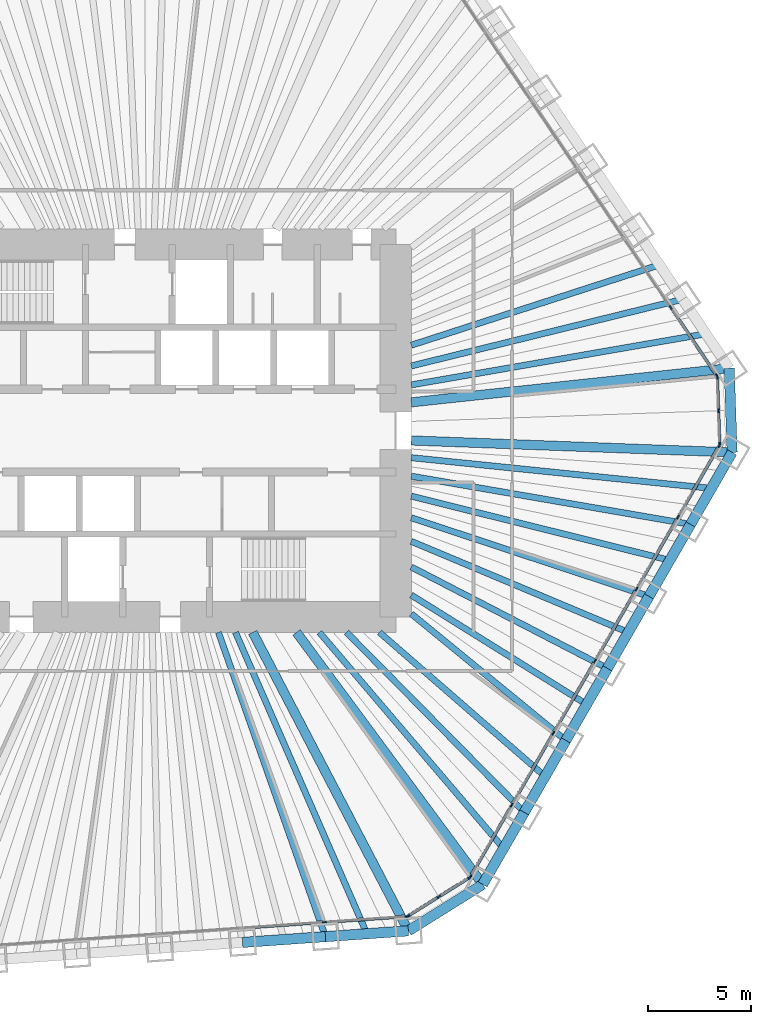
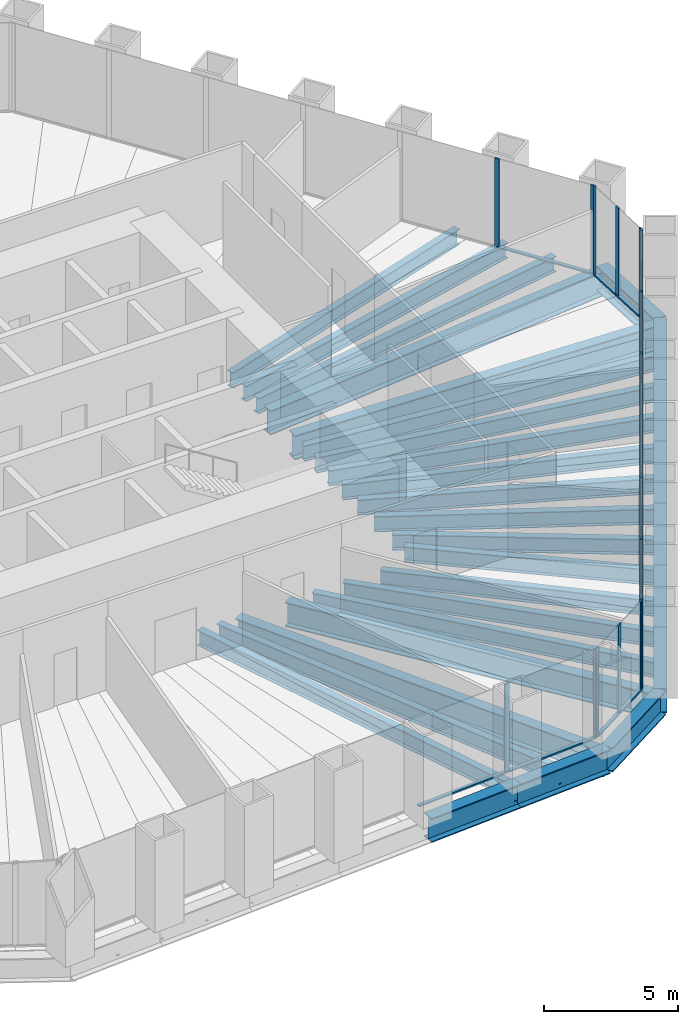
# One storey, part 4 of 13: 30 beams, 30 members, 5 elements without a shape of their own.
"""IFC4 building model written with IfcOpenShell, lengths in metres."""

from ifc_helpers import new_model, si_unit, direction, frame, origin, origin_2d, place, context, subcontext, project, spatial, rectangle, i_section, extrude, material, material_profile, profile_set, type_object, element, aggregate, save


model = new_model("IFC4")

# Units and contexts
model_context = context("Model", 3, precision=1e-05, world=origin(), true_north=direction((0.0, 1.0)))
body_context = subcontext(model_context, "Body", "Model", "MODEL_VIEW")
ifc_project = project(units=[si_unit("LENGTHUNIT", "METRE"), si_unit("AREAUNIT", "SQUARE_METRE"), si_unit("VOLUMEUNIT", "CUBIC_METRE"), si_unit("PLANEANGLEUNIT", "RADIAN"), si_unit("MASSUNIT", "GRAM", prefix="KILO")], contexts=[model_context])

# Site, building, storey
site_placement = place(None, origin())
site = spatial("IfcSite", under=ifc_project, at=site_placement, CompositionType="ELEMENT")
building_placement = place(site_placement, origin())
building = spatial("IfcBuilding", under=site, at=building_placement, Name="Qingtian Harvest Tower", CompositionType="ELEMENT")
storey_placement = place(building_placement, frame((0.0, 0.0, 124.0)))
storey = spatial("IfcBuildingStorey", under=building, at=storey_placement, Name="L25", CompositionType="ELEMENT", Elevation=124.0)

# Beams
ifc_material_1 = material(Name="Steel SM570MC", Category="steel")
ifc_material_profile_1 = material_profile(ifc_material_1, i_section(OverallWidth=0.449951171875, OverallDepth=1.10009765625, WebThickness=0.02197265625, FlangeThickness=0.044921875, at=origin_2d()), Name="H1100x450x22x45")
ifc_profile_set_1 = profile_set([ifc_material_profile_1], Name="Steel SM570MC")
beam_type_1 = type_object("IfcBeamType", Name="Corner floor beam FB8 H1100x450x22x45", PredefinedType="BEAM", material=ifc_profile_set_1)
beam_1_placement = place(storey_placement, frame((28.119384765625, 3.0185546875, -0.719970703125), z_axis=(-0.994287324052, -0.106736672374, 0.0), x_axis=(0.106736672374, -0.994287324052, 0.0)))
element("IfcBeam", 1, at=beam_1_placement, inside=storey, type_object=beam_type_1, Name="Floor beam FB8 NE6", PredefinedType="BEAM", context=body_context, shape_type="SweptSolid", body=[
    extrude(i_section(OverallWidth=0.449951171875, OverallDepth=1.10009765625, WebThickness=0.02197265625, FlangeThickness=0.044921875, at=origin_2d()), origin(), (0.0, 0.0, 1.0), 15.457763671875),
])
beam_2_placement = place(storey_placement, frame((28.261474609375, -1.049560546875, -0.719970703125), z_axis=(-0.999311425285, 0.03710357523, 0.0), x_axis=(-0.03710357523, -0.999311425285, 0.0)))
element("IfcBeam", 2, at=beam_2_placement, inside=storey, type_object=beam_type_1, Name="Floor beam FB8 SE0", PredefinedType="BEAM", context=body_context, shape_type="SweptSolid", body=[
    extrude(i_section(OverallWidth=0.449951171875, OverallDepth=1.10009765625, WebThickness=0.02197265625, FlangeThickness=0.044921875, at=origin_2d()), origin(), (0.0, 0.0, 1.0), 15.522216796875),
])
beam_3_placement = place(storey_placement, frame((16.204345703125, -21.933349609375, -0.719970703125), z_axis=(-0.594215666968, 0.804305751023, 0.0), x_axis=(-0.804305751023, -0.594215666968, 0.0)))
element("IfcBeam", 3, at=beam_3_placement, inside=storey, type_object=beam_type_1, Name="Floor beam FB8 SE6", PredefinedType="BEAM", context=body_context, shape_type="SweptSolid", body=[
    extrude(i_section(OverallWidth=0.449951171875, OverallDepth=1.10009765625, WebThickness=0.02197265625, FlangeThickness=0.044921875, at=origin_2d()), origin(), (0.0, 0.0, 1.0), 15.147705078125),
])
beam_4_placement = place(storey_placement, frame((12.610107421875, -24.17919921875, -0.719970703125), z_axis=(-0.462414751295, 0.886663745613, 0.0), x_axis=(-0.886663745613, -0.462414751295, 0.0)))
element("IfcBeam", 4, at=beam_4_placement, inside=storey, type_object=beam_type_1, Name="Floor beam FB8 S0", PredefinedType="BEAM", context=body_context, shape_type="SweptSolid", body=[
    extrude(i_section(OverallWidth=0.449951171875, OverallDepth=1.10009765625, WebThickness=0.02197265625, FlangeThickness=0.044921875, at=origin_2d()), origin(), (0.0, 0.0, 1.0), 16.273681640625),
])
ifc_material_2 = material(Name="Steel SN490B", Category="steel")
ifc_material_profile_2 = material_profile(ifc_material_2, i_section(OverallWidth=0.300048828125, OverallDepth=0.699951171875, WebThickness=0.012939453125, FlangeThickness=0.02392578125, at=origin_2d()), Name="H700x300x13x24")
ifc_profile_set_2 = profile_set([ifc_material_profile_2], Name="Steel SN490B")
beam_type_2 = type_object("IfcBeamType", Name="Floor beam FB2 H700x300x13x24", PredefinedType="BEAM", material=ifc_profile_set_2)
beam_5_placement = place(storey_placement, frame((25.8720703125, 6.3505859375, -0.52001953125), z_axis=(-0.971170997483, -0.2383839207, 0.0), x_axis=(0.2383839207, -0.971170997483, 0.0)))
element("IfcBeam", 5, at=beam_5_placement, inside=storey, type_object=beam_type_2, Name="Floor beam FB2 NE5", PredefinedType="BEAM", context=body_context, shape_type="SweptSolid", body=[
    extrude(i_section(OverallWidth=0.300048828125, OverallDepth=0.699951171875, WebThickness=0.012939453125, FlangeThickness=0.02392578125, at=origin_2d()), origin(), (0.0, 0.0, 1.0), 13.511474609375),
])
beam_6_placement = place(storey_placement, frame((26.251953125, -4.5302734375, -0.52001953125), z_axis=(-0.985433767107, 0.170059667895, 0.0), x_axis=(-0.170059667895, -0.985433767107, 0.0)))
element("IfcBeam", 6, at=beam_6_placement, inside=storey, type_object=beam_type_2, Name="Floor beam FB2 SE1", PredefinedType="BEAM", context=body_context, shape_type="SweptSolid", body=[
    extrude(i_section(OverallWidth=0.300048828125, OverallDepth=0.699951171875, WebThickness=0.012939453125, FlangeThickness=0.02392578125, at=origin_2d()), origin(), (0.0, 0.0, 1.0), 13.701416015625),
])
beam_7_placement = place(storey_placement, frame((24.242431640625, -8.010986328125, -0.52001953125), z_axis=(-0.949497047328, 0.31377596644, 0.0), x_axis=(-0.31377596644, -0.949497047328, 0.0)))
element("IfcBeam", 7, at=beam_7_placement, inside=storey, type_object=beam_type_2, Name="Floor beam FB2 SE2", PredefinedType="BEAM", context=body_context, shape_type="SweptSolid", body=[
    extrude(i_section(OverallWidth=0.300048828125, OverallDepth=0.699951171875, WebThickness=0.012939453125, FlangeThickness=0.02392578125, at=origin_2d()), origin(), (0.0, 0.0, 1.0), 12.103759765625),
])
beam_8_placement = place(storey_placement, frame((22.23291015625, -11.491455078125, -0.52001953125), z_axis=(-0.888354700773, 0.459157843899, 0.0), x_axis=(-0.459157843899, -0.888354700773, 0.0)))
element("IfcBeam", 8, at=beam_8_placement, inside=storey, type_object=beam_type_2, Name="Floor beam FB2 SE3", PredefinedType="BEAM", context=body_context, shape_type="SweptSolid", body=[
    extrude(i_section(OverallWidth=0.300048828125, OverallDepth=0.699951171875, WebThickness=0.012939453125, FlangeThickness=0.02392578125, at=origin_2d()), origin(), (0.0, 0.0, 1.0), 10.6748046875),
])
beam_9_placement = place(storey_placement, frame((20.223388671875, -14.97216796875, -0.52001953125), z_axis=(-0.773577716445, 0.633701441233, 0.0), x_axis=(-0.633701441233, -0.773577716445, 0.0)))
element("IfcBeam", 9, at=beam_9_placement, inside=storey, type_object=beam_type_2, Name="Floor beam FB2 SE4", PredefinedType="BEAM", context=body_context, shape_type="SweptSolid", body=[
    extrude(i_section(OverallWidth=0.300048828125, OverallDepth=0.699951171875, WebThickness=0.012939453125, FlangeThickness=0.02392578125, at=origin_2d()), origin(), (0.0, 0.0, 1.0), 9.660888671875),
])
beam_10_placement = place(storey_placement, frame((18.2138671875, -18.452880859375, -0.52001953125), z_axis=(-0.702479751847, 0.711703729262, 0.0), x_axis=(-0.711703729262, -0.702479751847, 0.0)))
element("IfcBeam", 10, at=beam_10_placement, inside=storey, type_object=beam_type_2, Name="Floor beam FB2 SE5", PredefinedType="BEAM", context=body_context, shape_type="SweptSolid", body=[
    extrude(i_section(OverallWidth=0.300048828125, OverallDepth=0.699951171875, WebThickness=0.012939453125, FlangeThickness=0.02392578125, at=origin_2d()), origin(), (0.0, 0.0, 1.0), 12.228271484375),
])
beam_11_placement = place(storey_placement, frame((8.600830078125, -24.459716796875, -0.52001953125), z_axis=(-0.331719146802, 0.943378189087, 0.0), x_axis=(-0.943378189087, -0.331719146802, 0.0)))
element("IfcBeam", 11, at=beam_11_placement, inside=storey, type_object=beam_type_2, Name="Floor beam FB2 S1", PredefinedType="BEAM", context=body_context, shape_type="SweptSolid", body=[
    extrude(i_section(OverallWidth=0.300048828125, OverallDepth=0.699951171875, WebThickness=0.012939453125, FlangeThickness=0.02392578125, at=origin_2d()), origin(), (0.0, 0.0, 1.0), 15.592529296875),
])
ifc_material_3 = material(Name="Steel SN490B", Category="steel")
ifc_material_profile_3 = material_profile(ifc_material_3, i_section(OverallWidth=0.300048828125, OverallDepth=0.699951171875, WebThickness=0.012939453125, FlangeThickness=0.02392578125, at=origin_2d()), Name="H700x300x13x24")
ifc_profile_set_3 = profile_set([ifc_material_profile_3], Name="Steel SN490B")
beam_type_3 = type_object("IfcBeamType", Name="Floor joist J2 H700x300x13x24", PredefinedType="JOIST", material=ifc_profile_set_3)
beam_12_placement = place(storey_placement, frame((24.748291015625, 8.016357421875, -0.52001953125), z_axis=(-0.951335907519, -0.308155790249, 0.0), x_axis=(0.308155790249, -0.951335907519, 0.0)))
element("IfcBeam", 12, at=beam_12_placement, inside=storey, type_object=beam_type_3, Name="Floor joist J2 NE4", PredefinedType="JOIST", context=body_context, shape_type="SweptSolid", body=[
    extrude(i_section(OverallWidth=0.300048828125, OverallDepth=0.699951171875, WebThickness=0.012939453125, FlangeThickness=0.02392578125, at=origin_2d()), origin(), (0.0, 0.0, 1.0), 12.612060546875),
])
beam_13_placement = place(storey_placement, frame((26.99560546875, 4.6845703125, -0.52001953125), z_axis=(-0.985273903188, -0.17098343691, 0.0), x_axis=(0.17098343691, -0.985273903188, 0.0)))
element("IfcBeam", 13, at=beam_13_placement, inside=storey, type_object=beam_type_3, Name="Floor joist J2 NE5", PredefinedType="JOIST", context=body_context, shape_type="SweptSolid", body=[
    extrude(i_section(OverallWidth=0.300048828125, OverallDepth=0.699951171875, WebThickness=0.012939453125, FlangeThickness=0.02392578125, at=origin_2d()), origin(), (0.0, 0.0, 1.0), 14.45849609375),
])
beam_14_placement = place(storey_placement, frame((27.2568359375, -2.7900390625, -0.52001953125), z_axis=(-0.994802418411, 0.101824104826, 0.0), x_axis=(-0.101824104826, -0.994802418411, 0.0)))
element("IfcBeam", 14, at=beam_14_placement, inside=storey, type_object=beam_type_3, Name="Floor joist J2 SE0", PredefinedType="JOIST", context=body_context, shape_type="SweptSolid", body=[
    extrude(i_section(OverallWidth=0.300048828125, OverallDepth=0.699951171875, WebThickness=0.012939453125, FlangeThickness=0.02392578125, at=origin_2d()), origin(), (0.0, 0.0, 1.0), 14.58251953125),
])
beam_15_placement = place(storey_placement, frame((25.247314453125, -6.2705078125, -0.52001953125), z_axis=(-0.970517179244, 0.241031958032, 0.0), x_axis=(-0.241031958032, -0.970517179244, 0.0)))
element("IfcBeam", 15, at=beam_15_placement, inside=storey, type_object=beam_type_3, Name="Floor joist J2 SE1", PredefinedType="JOIST", context=body_context, shape_type="SweptSolid", body=[
    extrude(i_section(OverallWidth=0.300048828125, OverallDepth=0.699951171875, WebThickness=0.012939453125, FlangeThickness=0.02392578125, at=origin_2d()), origin(), (0.0, 0.0, 1.0), 12.876953125),
])
beam_16_placement = place(storey_placement, frame((23.237548828125, -9.751220703125, -0.52001953125), z_axis=(-0.922104219626, 0.386941608189, 0.0), x_axis=(-0.386941608189, -0.922104219626, 0.0)))
element("IfcBeam", 16, at=beam_16_placement, inside=storey, type_object=beam_type_3, Name="Floor joist J2 SE2", PredefinedType="JOIST", context=body_context, shape_type="SweptSolid", body=[
    extrude(i_section(OverallWidth=0.300048828125, OverallDepth=0.699951171875, WebThickness=0.012939453125, FlangeThickness=0.02392578125, at=origin_2d()), origin(), (0.0, 0.0, 1.0), 11.37353515625),
])
beam_17_placement = place(storey_placement, frame((21.22802734375, -13.23193359375, -0.52001953125), z_axis=(-0.848631984892, 0.528983699389, 0.0), x_axis=(-0.528983699389, -0.848631984892, 0.0)))
element("IfcBeam", 17, at=beam_17_placement, inside=storey, type_object=beam_type_3, Name="Floor joist J2 SE3", PredefinedType="JOIST", context=body_context, shape_type="SweptSolid", body=[
    extrude(i_section(OverallWidth=0.300048828125, OverallDepth=0.699951171875, WebThickness=0.012939453125, FlangeThickness=0.02392578125, at=origin_2d()), origin(), (0.0, 0.0, 1.0), 9.990234375),
])
beam_18_placement = place(storey_placement, frame((19.218505859375, -16.71240234375, -0.52001953125), z_axis=(-0.754588679317, 0.656198083697, 0.0), x_axis=(-0.656198083697, -0.754588679317, 0.0)))
element("IfcBeam", 18, at=beam_18_placement, inside=storey, type_object=beam_type_3, Name="Floor joist J2 SE4", PredefinedType="JOIST", context=body_context, shape_type="SweptSolid", body=[
    extrude(i_section(OverallWidth=0.300048828125, OverallDepth=0.699951171875, WebThickness=0.012939453125, FlangeThickness=0.02392578125, at=origin_2d()), origin(), (0.0, 0.0, 1.0), 10.610107421875),
])
beam_19_placement = place(storey_placement, frame((17.208984375, -20.193115234375, -0.52001953125), z_axis=(-0.648631797865, 0.76110235238, 0.0), x_axis=(-0.76110235238, -0.648631797865, 0.0)))
element("IfcBeam", 19, at=beam_19_placement, inside=storey, type_object=beam_type_3, Name="Floor joist J2 SE5", PredefinedType="JOIST", context=body_context, shape_type="SweptSolid", body=[
    extrude(i_section(OverallWidth=0.300048828125, OverallDepth=0.699951171875, WebThickness=0.012939453125, FlangeThickness=0.02392578125, at=origin_2d()), origin(), (0.0, 0.0, 1.0), 13.720947265625),
])
beam_20_placement = place(storey_placement, frame((10.60546875, -24.3193359375, -0.52001953125), z_axis=(-0.399732363577, 0.916631898588, 0.0), x_axis=(-0.916631898588, -0.399732363577, 0.0)))
element("IfcBeam", 20, at=beam_20_placement, inside=storey, type_object=beam_type_3, Name="Floor joist J2 S0", PredefinedType="JOIST", context=body_context, shape_type="SweptSolid", body=[
    extrude(i_section(OverallWidth=0.300048828125, OverallDepth=0.699951171875, WebThickness=0.012939453125, FlangeThickness=0.02392578125, at=origin_2d()), origin(), (0.0, 0.0, 1.0), 15.89453125),
])

# Curtain wall, members
ifc_material_4 = material(Name="Bronze-anodised aluminium curtain wall", Category="aluminium")
curtain_wall_type = type_object("IfcCurtainWallType", Name="Curtain wall CW4 office", PredefinedType="USERDEFINED", material=ifc_material_4)
curtain_wall_1_placement = place(storey_placement, origin())
curtain_wall_1 = element("IfcCurtainWall", 21, at=curtain_wall_1_placement, inside=storey, type_object=curtain_wall_type, Name="Curtain wall CW4 L25 NE0-5", ObjectType="RECESSED CURTAIN WALL", PredefinedType="USERDEFINED")
ifc_material_5 = material(Name="Bronze-anodised aluminium mullion", Category="aluminium")
ifc_material_profile_4 = material_profile(ifc_material_5, rectangle(XDim=0.06494140625, YDim=0.199951171875, at=origin_2d()), Name="AL 65x200")
ifc_profile_set_4 = profile_set([ifc_material_profile_4], Name="Bronze-anodised aluminium mullion")
member_type_1 = type_object("IfcMemberType", Name="Mullion CWM 65x200", PredefinedType="MULLION", material=ifc_profile_set_4)
member_1_placement = place(storey_placement, frame((25.291748046875, 5.958984375, 0.0), z_axis=(0.0, 0.0, 1.0), x_axis=(0.829037572555, 0.559192903471, 0.0)))
member_1 = element("IfcMember", 22, at=member_1_placement, type_object=member_type_1, Name="CW4 mullion 6", PredefinedType="MULLION", context=body_context, shape_type="SweptSolid", body=[
    extrude(rectangle(XDim=0.06494140625, YDim=0.199951171875, at=origin_2d()), origin(), (0.0, 0.0, 1.0), 4.030029296875),
])
member_2_placement = place(storey_placement, frame((27.52099609375, 2.654052734375, 0.0), z_axis=(0.0, 0.0, 1.0), x_axis=(0.829037572555, 0.559192903471, 0.0)))
member_2 = element("IfcMember", 23, at=member_2_placement, type_object=member_type_1, Name="CW4 mullion 7", PredefinedType="MULLION", context=body_context, shape_type="SweptSolid", body=[
    extrude(rectangle(XDim=0.06494140625, YDim=0.199951171875, at=origin_2d()), origin(), (0.0, 0.0, 1.0), 4.030029296875),
])

curtain_wall_2_placement = place(storey_placement, origin())
curtain_wall_2 = element("IfcCurtainWall", 24, at=curtain_wall_2_placement, inside=storey, type_object=curtain_wall_type, Name="Curtain wall CW4 L25 NEC", ObjectType="RECESSED CURTAIN WALL", PredefinedType="USERDEFINED")
member_3_placement = place(storey_placement, frame((27.540283203125, 2.594482421875, 0.0), z_axis=(0.0, 0.0, 1.0), x_axis=(0.999390827019, 0.034899496703, 0.0)))
member_3 = element("IfcMember", 25, at=member_3_placement, type_object=member_type_1, Name="CW4 mullion 1", PredefinedType="MULLION", context=body_context, shape_type="SweptSolid", body=[
    extrude(rectangle(XDim=0.06494140625, YDim=0.199951171875, at=origin_2d()), origin(), (0.0, 0.0, 1.0), 4.030029296875),
])
member_4_placement = place(storey_placement, frame((27.59716796875, 0.963623046875, 0.0), z_axis=(0.0, 0.0, 1.0), x_axis=(0.999390827019, 0.034899496703, 0.0)))
member_4 = element("IfcMember", 26, at=member_4_placement, type_object=member_type_1, Name="CW4 mullion 2", PredefinedType="MULLION", context=body_context, shape_type="SweptSolid", body=[
    extrude(rectangle(XDim=0.06494140625, YDim=0.199951171875, at=origin_2d()), origin(), (0.0, 0.0, 1.0), 4.030029296875),
])
member_5_placement = place(storey_placement, frame((27.654052734375, -0.667236328125, 0.0), z_axis=(0.0, 0.0, 1.0), x_axis=(0.999390827019, 0.034899496703, 0.0)))
member_5 = element("IfcMember", 27, at=member_5_placement, type_object=member_type_1, Name="CW4 mullion 3", PredefinedType="MULLION", context=body_context, shape_type="SweptSolid", body=[
    extrude(rectangle(XDim=0.06494140625, YDim=0.199951171875, at=origin_2d()), origin(), (0.0, 0.0, 1.0), 4.030029296875),
])

curtain_wall_3_placement = place(storey_placement, origin())
curtain_wall_3 = element("IfcCurtainWall", 28, at=curtain_wall_3_placement, inside=storey, type_object=curtain_wall_type, Name="Curtain wall CW4 L25 SE0-5", ObjectType="RECESSED CURTAIN WALL", PredefinedType="USERDEFINED")
member_6_placement = place(storey_placement, frame((27.638916015625, -0.727783203125, 0.0), z_axis=(0.0, 0.0, 1.0), x_axis=(0.866025403784, -0.5, 0.0)))
member_6 = element("IfcMember", 29, at=member_6_placement, type_object=member_type_1, Name="CW4 mullion 1", PredefinedType="MULLION", context=body_context, shape_type="SweptSolid", body=[
    extrude(rectangle(XDim=0.06494140625, YDim=0.199951171875, at=origin_2d()), origin(), (0.0, 0.0, 1.0), 4.030029296875),
])
member_7_placement = place(storey_placement, frame((25.645751953125, -4.18017578125, 0.0), z_axis=(0.0, 0.0, 1.0), x_axis=(0.866025403784, -0.5, 0.0)))
member_7 = element("IfcMember", 30, at=member_7_placement, type_object=member_type_1, Name="CW4 mullion 2", PredefinedType="MULLION", context=body_context, shape_type="SweptSolid", body=[
    extrude(rectangle(XDim=0.06494140625, YDim=0.199951171875, at=origin_2d()), origin(), (0.0, 0.0, 1.0), 4.030029296875),
])
member_8_placement = place(storey_placement, frame((23.63623046875, -7.660888671875, 0.0), z_axis=(0.0, 0.0, 1.0), x_axis=(0.866025403784, -0.5, 0.0)))
member_8 = element("IfcMember", 31, at=member_8_placement, type_object=member_type_1, Name="CW4 mullion 3", PredefinedType="MULLION", context=body_context, shape_type="SweptSolid", body=[
    extrude(rectangle(XDim=0.06494140625, YDim=0.199951171875, at=origin_2d()), origin(), (0.0, 0.0, 1.0), 4.030029296875),
])
member_9_placement = place(storey_placement, frame((21.626708984375, -11.1416015625, 0.0), z_axis=(0.0, 0.0, 1.0), x_axis=(0.866025403784, -0.5, 0.0)))
member_9 = element("IfcMember", 32, at=member_9_placement, type_object=member_type_1, Name="CW4 mullion 4", PredefinedType="MULLION", context=body_context, shape_type="SweptSolid", body=[
    extrude(rectangle(XDim=0.06494140625, YDim=0.199951171875, at=origin_2d()), origin(), (0.0, 0.0, 1.0), 4.030029296875),
])
member_10_placement = place(storey_placement, frame((19.6171875, -14.6220703125, 0.0), z_axis=(0.0, 0.0, 1.0), x_axis=(0.866025403784, -0.5, 0.0)))
member_10 = element("IfcMember", 33, at=member_10_placement, type_object=member_type_1, Name="CW4 mullion 5", PredefinedType="MULLION", context=body_context, shape_type="SweptSolid", body=[
    extrude(rectangle(XDim=0.06494140625, YDim=0.199951171875, at=origin_2d()), origin(), (0.0, 0.0, 1.0), 4.030029296875),
])
member_11_placement = place(storey_placement, frame((17.607666015625, -18.102783203125, 0.0), z_axis=(0.0, 0.0, 1.0), x_axis=(0.866025403784, -0.5, 0.0)))
member_11 = element("IfcMember", 34, at=member_11_placement, type_object=member_type_1, Name="CW4 mullion 6", PredefinedType="MULLION", context=body_context, shape_type="SweptSolid", body=[
    extrude(rectangle(XDim=0.06494140625, YDim=0.199951171875, at=origin_2d()), origin(), (0.0, 0.0, 1.0), 4.030029296875),
])
member_12_placement = place(storey_placement, frame((15.6142578125, -21.55517578125, 0.0), z_axis=(0.0, 0.0, 1.0), x_axis=(0.866025403784, -0.5, 0.0)))
member_12 = element("IfcMember", 35, at=member_12_placement, type_object=member_type_1, Name="CW4 mullion 7", PredefinedType="MULLION", context=body_context, shape_type="SweptSolid", body=[
    extrude(rectangle(XDim=0.06494140625, YDim=0.199951171875, at=origin_2d()), origin(), (0.0, 0.0, 1.0), 4.030029296875),
])

curtain_wall_4_placement = place(storey_placement, origin())
curtain_wall_4 = element("IfcCurtainWall", 36, at=curtain_wall_4_placement, inside=storey, type_object=curtain_wall_type, Name="Curtain wall CW4 L25 SEC", ObjectType="RECESSED CURTAIN WALL", PredefinedType="USERDEFINED")
member_13_placement = place(storey_placement, frame((15.570556640625, -21.6005859375, 0.0), z_axis=(0.0, 0.0, 1.0), x_axis=(0.529919264233, -0.848048096156, 0.0)))
member_13 = element("IfcMember", 37, at=member_13_placement, type_object=member_type_1, Name="CW4 mullion 1", PredefinedType="MULLION", context=body_context, shape_type="SweptSolid", body=[
    extrude(rectangle(XDim=0.06494140625, YDim=0.199951171875, at=origin_2d()), origin(), (0.0, 0.0, 1.0), 4.030029296875),
])
member_14_placement = place(storey_placement, frame((14.07958984375, -22.5322265625, 0.0), z_axis=(0.0, 0.0, 1.0), x_axis=(0.529919264233, -0.848048096156, 0.0)))
member_14 = element("IfcMember", 38, at=member_14_placement, type_object=member_type_1, Name="CW4 mullion 2", PredefinedType="MULLION", context=body_context, shape_type="SweptSolid", body=[
    extrude(rectangle(XDim=0.06494140625, YDim=0.199951171875, at=origin_2d()), origin(), (0.0, 0.0, 1.0), 4.030029296875),
])
member_15_placement = place(storey_placement, frame((12.5888671875, -23.4638671875, 0.0), z_axis=(0.0, 0.0, 1.0), x_axis=(0.529919264233, -0.848048096156, 0.0)))
member_15 = element("IfcMember", 39, at=member_15_placement, type_object=member_type_1, Name="CW4 mullion 3", PredefinedType="MULLION", context=body_context, shape_type="SweptSolid", body=[
    extrude(rectangle(XDim=0.06494140625, YDim=0.199951171875, at=origin_2d()), origin(), (0.0, 0.0, 1.0), 4.030029296875),
])

curtain_wall_5_placement = place(storey_placement, origin())
curtain_wall_5 = element("IfcCurtainWall", 40, at=curtain_wall_5_placement, inside=storey, type_object=curtain_wall_type, Name="Curtain wall CW4 L25 S0-5", ObjectType="RECESSED CURTAIN WALL", PredefinedType="USERDEFINED")
member_16_placement = place(storey_placement, frame((12.52880859375, -23.483154296875, 0.0), z_axis=(0.0, 0.0, 1.0), x_axis=(0.069756473744, -0.99756405026, 0.0)))
member_16 = element("IfcMember", 41, at=member_16_placement, type_object=member_type_1, Name="CW4 mullion 1", PredefinedType="MULLION", context=body_context, shape_type="SweptSolid", body=[
    extrude(rectangle(XDim=0.06494140625, YDim=0.199951171875, at=origin_2d()), origin(), (0.0, 0.0, 1.0), 4.030029296875),
])
member_17_placement = place(storey_placement, frame((8.552001953125, -23.76123046875, 0.0), z_axis=(0.0, 0.0, 1.0), x_axis=(0.069756473744, -0.99756405026, 0.0)))
member_17 = element("IfcMember", 42, at=member_17_placement, type_object=member_type_1, Name="CW4 mullion 2", PredefinedType="MULLION", context=body_context, shape_type="SweptSolid", body=[
    extrude(rectangle(XDim=0.06494140625, YDim=0.199951171875, at=origin_2d()), origin(), (0.0, 0.0, 1.0), 4.030029296875),
])

# Beams
ifc_material_6 = material(Name="Steel SM570MC", Category="steel")
ifc_material_profile_5 = material_profile(ifc_material_6, i_section(OverallWidth=0.5, OverallDepth=1.10009765625, WebThickness=0.02490234375, FlangeThickness=0.050048828125, at=origin_2d()), Name="H1100x500x25x50")
ifc_profile_set_5 = profile_set([ifc_material_profile_5], Name="Steel SM570MC")
beam_type_4 = type_object("IfcBeamType", Name="Spandrel beam SB2 H1100x500x25x50", PredefinedType="SPANDREL", material=ifc_profile_set_5)
beam_21_placement = place(storey_placement, frame((28.119384765625, 3.0185546875, -0.550048828125), z_axis=(0.03490639867, -0.999390585973, 0.0), x_axis=(0.999390585973, 0.03490639867, 0.0)))
element("IfcBeam", 43, at=beam_21_placement, inside=storey, type_object=beam_type_4, Name="Spandrel SB2 NEC", PredefinedType="SPANDREL", context=body_context, shape_type="SweptSolid", body=[
    extrude(i_section(OverallWidth=0.5, OverallDepth=1.10009765625, WebThickness=0.02490234375, FlangeThickness=0.050048828125, at=origin_2d()), origin(), (0.0, 0.0, 1.0), 4.070556640625),
])
for number, where, z_axis, x_axis, name in (
    (44, (28.261474609375, -1.049560546875, -0.550048828125), (-0.499987116613, -0.866032841884, 0.0), (0.866032841884, -0.499987116613, 0.0), "Spandrel SB2 SE0"),
    (45, (26.251953125, -4.5302734375, -0.550048828125), (-0.499987116613, -0.866032841884, 0.0), (0.866032841884, -0.499987116613, 0.0), "Spandrel SB2 SE1"),
    (46, (24.242431640625, -8.010986328125, -0.550048828125), (-0.500013420409, -0.866017655369, 0.0), (0.866017655369, -0.500013420409, 0.0), "Spandrel SB2 SE2"),
    (47, (22.23291015625, -11.491455078125, -0.550048828125), (-0.499987116613, -0.866032841884, 0.0), (0.866032841884, -0.499987116613, 0.0), "Spandrel SB2 SE3"),
    (48, (20.223388671875, -14.97216796875, -0.550048828125), (-0.499987116613, -0.866032841884, 0.0), (0.866032841884, -0.499987116613, 0.0), "Spandrel SB2 SE4"),
    (49, (18.2138671875, -18.452880859375, -0.550048828125), (-0.500013420409, -0.866017655369, 0.0), (0.866017655369, -0.500013420409, 0.0), "Spandrel SB2 SE5"),
):
    element("IfcBeam", number, at=place(storey_placement, frame(where, z_axis=z_axis, x_axis=x_axis)), inside=storey, type_object=beam_type_4, Name=name, PredefinedType="SPANDREL", context=body_context, shape_type="SweptSolid", body=[
        extrude(i_section(OverallWidth=0.5, OverallDepth=1.10009765625, WebThickness=0.02490234375, FlangeThickness=0.050048828125, at=origin_2d()), origin(), (0.0, 0.0, 1.0), 4.01904296875),
    ])
beam_22_placement = place(storey_placement, frame((16.204345703125, -21.933349609375, -0.550048828125), z_axis=(-0.848056550838, -0.529905733675, 0.0), x_axis=(0.529905733675, -0.848056550838, 0.0)))
element("IfcBeam", 50, at=beam_22_placement, inside=storey, type_object=beam_type_4, Name="Spandrel SB2 SEC", PredefinedType="SPANDREL", context=body_context, shape_type="SweptSolid", body=[
    extrude(i_section(OverallWidth=0.5, OverallDepth=1.10009765625, WebThickness=0.02490234375, FlangeThickness=0.050048828125, at=origin_2d()), origin(), (0.0, 0.0, 1.0), 4.23828125),
])
for number, where, z_axis, x_axis, name in (
    (51, (12.610107421875, -24.17919921875, -0.550048828125), (-0.997561251588, -0.069796485086, 0.0), (0.069796485086, -0.997561251588, 0.0), "Spandrel SB2 S0"),
    (52, (8.600830078125, -24.459716796875, -0.550048828125), (-0.997565479251, -0.069736035208, 0.0), (0.069736035208, -0.997565479251, 0.0), "Spandrel SB2 S1"),
):
    element("IfcBeam", number, at=place(storey_placement, frame(where, z_axis=z_axis, x_axis=x_axis)), inside=storey, type_object=beam_type_4, Name=name, PredefinedType="SPANDREL", context=body_context, shape_type="SweptSolid", body=[
        extrude(i_section(OverallWidth=0.5, OverallDepth=1.10009765625, WebThickness=0.02490234375, FlangeThickness=0.050048828125, at=origin_2d()), origin(), (0.0, 0.0, 1.0), 4.01904296875),
    ])

# Member
ifc_material_7 = material(Name="Bronze-anodised aluminium transom", Category="aluminium")
ifc_material_profile_6 = material_profile(ifc_material_7, rectangle(XDim=0.14990234375, YDim=0.06494140625, at=origin_2d()), Name="AL 65x150")
ifc_profile_set_6 = profile_set([ifc_material_profile_6], Name="Bronze-anodised aluminium transom")
member_type_2 = type_object("IfcMemberType", Name="Transom CWT 65x150", PredefinedType="USERDEFINED", material=ifc_profile_set_6)
member_18_placement = place(storey_placement, frame((25.309814453125, 5.93212890625, 0.032470703125), z_axis=(0.559174507936, -0.829049980203, 0.0), x_axis=(0.829049980203, 0.559174507936, 0.0)))
member_18 = element("IfcMember", 53, at=member_18_placement, type_object=member_type_2, Name="CW4 transom 6.1", ObjectType="TRANSOM", PredefinedType="USERDEFINED", context=body_context, shape_type="SweptSolid", body=[
    extrude(rectangle(XDim=0.14990234375, YDim=0.06494140625, at=origin_2d()), origin(), (0.0, 0.0, 1.0), 3.921630859375),
])

aggregate(curtain_wall_1, [member_1, member_2, member_18])

member_19_placement = place(storey_placement, frame((27.541259765625, 2.56201171875, 0.032470703125), z_axis=(0.034902326647, -0.999390728191, 0.0), x_axis=(0.999390728191, 0.034902326647, 0.0)))
member_19 = element("IfcMember", 54, at=member_19_placement, type_object=member_type_2, Name="CW4 transom 1.1", ObjectType="TRANSOM", PredefinedType="USERDEFINED", context=body_context, shape_type="SweptSolid", body=[
    extrude(rectangle(XDim=0.14990234375, YDim=0.06494140625, at=origin_2d()), origin(), (0.0, 0.0, 1.0), 1.56689453125),
])

member_20_placement = place(storey_placement, frame((27.598388671875, 0.93115234375, 0.032470703125), z_axis=(0.034902326647, -0.999390728191, 0.0), x_axis=(0.999390728191, 0.034902326647, 0.0)))
member_20 = element("IfcMember", 55, at=member_20_placement, type_object=member_type_2, Name="CW4 transom 2.1", ObjectType="TRANSOM", PredefinedType="USERDEFINED", context=body_context, shape_type="SweptSolid", body=[
    extrude(rectangle(XDim=0.14990234375, YDim=0.06494140625, at=origin_2d()), origin(), (0.0, 0.0, 1.0), 1.56689453125),
])

aggregate(curtain_wall_2, [member_3, member_4, member_5, member_19, member_20])

member_21_placement = place(storey_placement, frame((27.622802734375, -0.755859375, 0.032470703125), z_axis=(-0.499975738995, -0.866039410429, 0.0), x_axis=(0.866039410429, -0.499975738995, 0.0)))
member_21 = element("IfcMember", 56, at=member_21_placement, type_object=member_type_2, Name="CW4 transom 1.1", ObjectType="TRANSOM", PredefinedType="USERDEFINED", context=body_context, shape_type="SweptSolid", body=[
    extrude(rectangle(XDim=0.14990234375, YDim=0.06494140625, at=origin_2d()), origin(), (0.0, 0.0, 1.0), 3.921630859375),
])

member_22_placement = place(storey_placement, frame((25.62939453125, -4.20849609375, 0.032470703125), z_axis=(-0.500003941941, -0.866023127892, 0.0), x_axis=(0.866023127892, -0.500003941941, 0.0)))
member_22 = element("IfcMember", 57, at=member_22_placement, type_object=member_type_2, Name="CW4 transom 2.1", ObjectType="TRANSOM", PredefinedType="USERDEFINED", context=body_context, shape_type="SweptSolid", body=[
    extrude(rectangle(XDim=0.14990234375, YDim=0.06494140625, at=origin_2d()), origin(), (0.0, 0.0, 1.0), 3.9541015625),
])

member_23_placement = place(storey_placement, frame((23.619873046875, -7.68896484375, 0.032470703125), z_axis=(-0.500003941941, -0.866023127892, 0.0), x_axis=(0.866023127892, -0.500003941941, 0.0)))
member_23 = element("IfcMember", 58, at=member_23_placement, type_object=member_type_2, Name="CW4 transom 3.1", ObjectType="TRANSOM", PredefinedType="USERDEFINED", context=body_context, shape_type="SweptSolid", body=[
    extrude(rectangle(XDim=0.14990234375, YDim=0.06494140625, at=origin_2d()), origin(), (0.0, 0.0, 1.0), 3.9541015625),
])

member_24_placement = place(storey_placement, frame((21.6103515625, -11.169677734375, 0.032470703125), z_axis=(-0.500003941941, -0.866023127892, 0.0), x_axis=(0.866023127892, -0.500003941941, 0.0)))
member_24 = element("IfcMember", 59, at=member_24_placement, type_object=member_type_2, Name="CW4 transom 4.1", ObjectType="TRANSOM", PredefinedType="USERDEFINED", context=body_context, shape_type="SweptSolid", body=[
    extrude(rectangle(XDim=0.14990234375, YDim=0.06494140625, at=origin_2d()), origin(), (0.0, 0.0, 1.0), 3.9541015625),
])

member_25_placement = place(storey_placement, frame((19.600830078125, -14.650390625, 0.032470703125), z_axis=(-0.500003941941, -0.866023127892, 0.0), x_axis=(0.866023127892, -0.500003941941, 0.0)))
member_25 = element("IfcMember", 60, at=member_25_placement, type_object=member_type_2, Name="CW4 transom 5.1", ObjectType="TRANSOM", PredefinedType="USERDEFINED", context=body_context, shape_type="SweptSolid", body=[
    extrude(rectangle(XDim=0.14990234375, YDim=0.06494140625, at=origin_2d()), origin(), (0.0, 0.0, 1.0), 3.9541015625),
])

member_26_placement = place(storey_placement, frame((17.59130859375, -18.130859375, 0.032470703125), z_axis=(-0.499975738995, -0.866039410429, 0.0), x_axis=(0.866039410429, -0.499975738995, 0.0)))
member_26 = element("IfcMember", 61, at=member_26_placement, type_object=member_type_2, Name="CW4 transom 6.1", ObjectType="TRANSOM", PredefinedType="USERDEFINED", context=body_context, shape_type="SweptSolid", body=[
    extrude(rectangle(XDim=0.14990234375, YDim=0.06494140625, at=origin_2d()), origin(), (0.0, 0.0, 1.0), 3.921630859375),
])

aggregate(curtain_wall_3, [member_6, member_7, member_8, member_9, member_10, member_11, member_12, member_21, member_22, member_23, member_24, member_25, member_26])

member_27_placement = place(storey_placement, frame((15.54296875, -21.617919921875, 0.032470703125), z_axis=(-0.848103609743, -0.529830413568, 0.0), x_axis=(0.529830413568, -0.848103609743, 0.0)))
member_27 = element("IfcMember", 62, at=member_27_placement, type_object=member_type_2, Name="CW4 transom 1.1", ObjectType="TRANSOM", PredefinedType="USERDEFINED", context=body_context, shape_type="SweptSolid", body=[
    extrude(rectangle(XDim=0.14990234375, YDim=0.06494140625, at=origin_2d()), origin(), (0.0, 0.0, 1.0), 1.69287109375),
])

member_28_placement = place(storey_placement, frame((14.052001953125, -22.54931640625, 0.032470703125), z_axis=(-0.847998304005, -0.529998940003, 0.0), x_axis=(0.529998940003, -0.847998304005, 0.0)))
member_28 = element("IfcMember", 63, at=member_28_placement, type_object=member_type_2, Name="CW4 transom 2.1", ObjectType="TRANSOM", PredefinedType="USERDEFINED", context=body_context, shape_type="SweptSolid", body=[
    extrude(rectangle(XDim=0.14990234375, YDim=0.06494140625, at=origin_2d()), origin(), (0.0, 0.0, 1.0), 1.69287109375),
])

aggregate(curtain_wall_4, [member_13, member_14, member_15, member_27, member_28])

member_29_placement = place(storey_placement, frame((12.496337890625, -23.485595703125, 0.032470703125), z_axis=(-0.99756594446, -0.069729380128, 0.0), x_axis=(0.069729380128, -0.99756594446, 0.0)))
member_29 = element("IfcMember", 64, at=member_29_placement, type_object=member_type_2, Name="CW4 transom 1.1", ObjectType="TRANSOM", PredefinedType="USERDEFINED", context=body_context, shape_type="SweptSolid", body=[
    extrude(rectangle(XDim=0.14990234375, YDim=0.06494140625, at=origin_2d()), origin(), (0.0, 0.0, 1.0), 3.92138671875),
])

member_30_placement = place(storey_placement, frame((8.51953125, -23.763671875, 0.032470703125), z_axis=(-0.997567218353, -0.069711153102, 0.0), x_axis=(0.069711153102, -0.997567218353, 0.0)))
member_30 = element("IfcMember", 65, at=member_30_placement, type_object=member_type_2, Name="CW4 transom 2.1", ObjectType="TRANSOM", PredefinedType="USERDEFINED", context=body_context, shape_type="SweptSolid", body=[
    extrude(rectangle(XDim=0.14990234375, YDim=0.06494140625, at=origin_2d()), origin(), (0.0, 0.0, 1.0), 3.953857421875),
])

aggregate(curtain_wall_5, [member_16, member_17, member_29, member_30])

save(model, "model.ifc")
